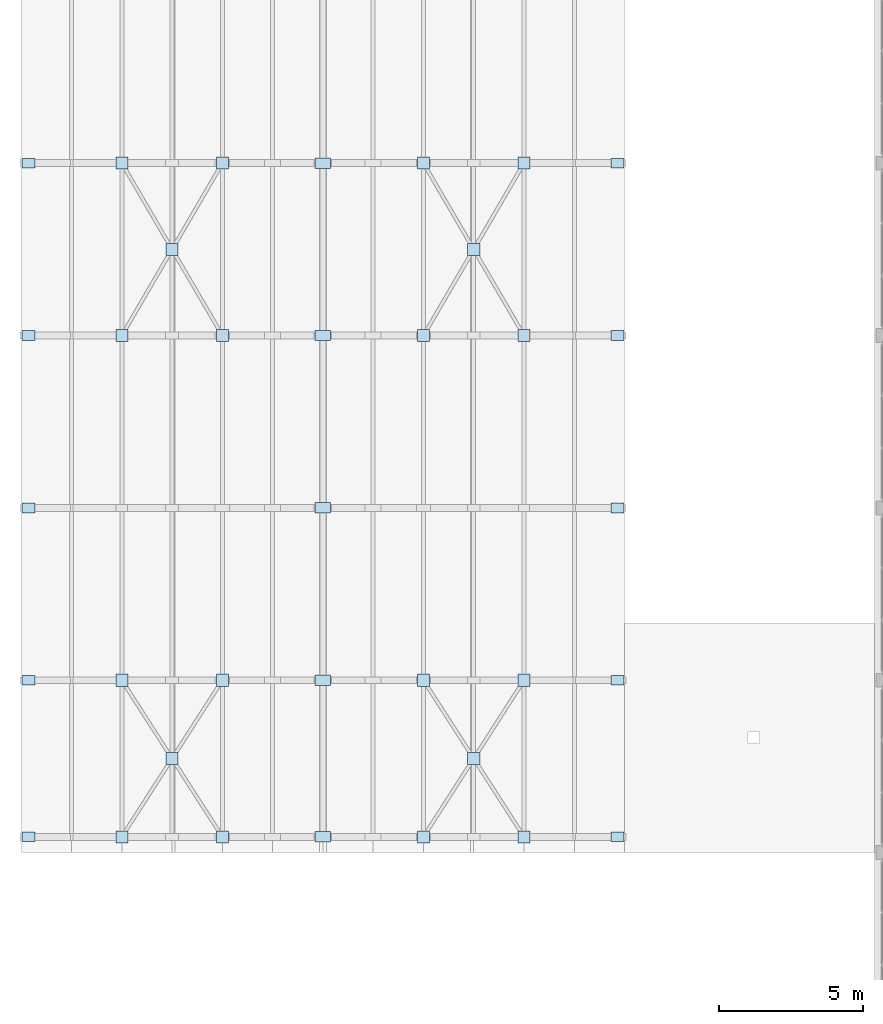
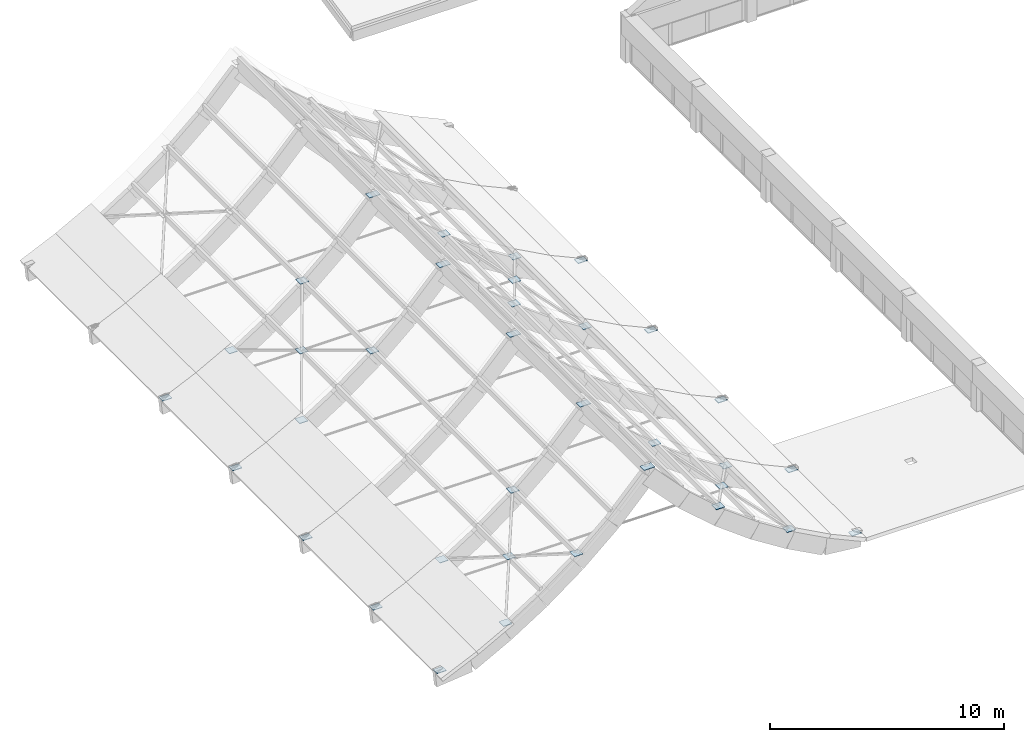
# One storey, part 32 of 45: 35 plates.
"""IFC4 building model written with IfcOpenShell, lengths in metres."""

from ifc_helpers import new_model, si_unit, direction, frame, origin, origin_2d, place, context, subcontext, project, spatial, rectangle, extrude, material, layer, layer_set, type_object, element, save


model = new_model("IFC4")

# Units and contexts
model_context = context("Model", 3, precision=1e-05, world=origin(), true_north=direction((0.0, 1.0)))
body_context = subcontext(model_context, "Body", "Model", "MODEL_VIEW")
ifc_project = project(units=[si_unit("LENGTHUNIT", "METRE"), si_unit("AREAUNIT", "SQUARE_METRE"), si_unit("VOLUMEUNIT", "CUBIC_METRE"), si_unit("PLANEANGLEUNIT", "RADIAN"), si_unit("MASSUNIT", "GRAM", prefix="KILO")], contexts=[model_context])

# Site, building, storey
site_placement = place(None, origin())
site = spatial("IfcSite", under=ifc_project, at=site_placement, CompositionType="ELEMENT")
building_placement = place(site_placement, origin())
building = spatial("IfcBuilding", under=site, at=building_placement, Name="Solvane Community Centre", CompositionType="ELEMENT")
storey_placement = place(building_placement, frame((0.0, 0.0, 13.800048828125)))
storey = spatial("IfcBuildingStorey", under=building, at=storey_placement, Name="L03", CompositionType="ELEMENT", Elevation=13.800048828125)

# Plates
ifc_material = material(Name="Steel ASTM A572 Grade 50", Category="steel")
ifc_layer_1 = layer(ifc_material, 0.02392578125)
ifc_layer_set_1 = layer_set([ifc_layer_1], Name="Steel ASTM A572 Grade 50")
plate_type_1 = type_object("IfcPlateType", Name="Bracing Node Gusset Plate 420x420x24", PredefinedType="USERDEFINED", material=ifc_layer_set_1)
for number, where, z_axis, x_axis, name in (
    (1, (11.25, 45.27490234375, 2.554443359375), (0.0, 0.0, 1.0), (1.0, 0.0, 0.0), "Gusset Plate PLT-L03-0076"),
    (2, (9.5, 42.550048828125, 1.348876953125), (0.0, 0.0, 1.0), (1.0, 0.0, 0.0), "Gusset Plate PLT-L03-0077"),
    (3, (13.0, 48.0, 3.760009765625), (0.0, 0.0, 1.0), (1.0, 0.0, 0.0), "Gusset Plate PLT-L03-0078"),
    (4, (13.0, 42.550048828125, 3.760009765625), (0.0, 0.0, 1.0), (1.0, 0.0, 0.0), "Gusset Plate PLT-L03-0079"),
    (5, (9.5, 48.0, 1.348876953125), (0.0, 0.0, 1.0), (1.0, 0.0, 0.0), "Gusset Plate PLT-L03-0080"),
    (6, (21.75, 45.27490234375, 2.554443359375), (0.0, 0.0, 1.0), (1.0, 0.0, 0.0), "Gusset Plate PLT-L03-0081"),
    (7, (20.0, 42.550048828125, 3.760009765625), (0.0, 0.0, 1.0), (1.0, 0.0, 0.0), "Gusset Plate PLT-L03-0082"),
    (8, (23.5, 48.0, 1.348876953125), (0.0, 0.0, 1.0), (1.0, 0.0, 0.0), "Gusset Plate PLT-L03-0083"),
    (9, (23.5, 42.550048828125, 1.348876953125), (0.0, 0.0, 1.0), (1.0, 0.0, 0.0), "Gusset Plate PLT-L03-0084"),
    (10, (20.0, 48.0, 3.760009765625), (0.0, 0.0, 1.0), (1.0, 0.0, 0.0), "Gusset Plate PLT-L03-0085"),
    (11, (11.25, 63.0, 2.554443359375), (0.0, 0.0, 1.0), (1.0, 0.0, 0.0), "Gusset Plate PLT-L03-0086"),
    (12, (9.5, 60.0, 1.348876953125), (0.0, 0.0, 1.0), (1.0, 0.0, 0.0), "Gusset Plate PLT-L03-0087"),
    (13, (13.0, 66.0, 3.760009765625), (0.0, 0.0, 1.0), (1.0, 0.0, 0.0), "Gusset Plate PLT-L03-0088"),
    (14, (13.0, 60.0, 3.760009765625), (0.0, 0.0, 1.0), (1.0, 0.0, 0.0), "Gusset Plate PLT-L03-0089"),
    (15, (9.5, 66.0, 1.348876953125), (0.0, 0.0, 1.0), (1.0, 0.0, 0.0), "Gusset Plate PLT-L03-0090"),
    (16, (21.75, 63.0, 2.554443359375), (0.0, 0.0, 1.0), (1.0, 0.0, 0.0), "Gusset Plate PLT-L03-0091"),
    (17, (20.0, 60.0, 3.760009765625), (0.0, 0.0, 1.0), (1.0, 0.0, 0.0), "Gusset Plate PLT-L03-0092"),
    (18, (23.5, 66.0, 1.348876953125), (0.0, 0.0, 1.0), (1.0, 0.0, 0.0), "Gusset Plate PLT-L03-0093"),
    (19, (23.5, 60.0, 1.348876953125), (0.0, 0.0, 1.0), (1.0, 0.0, 0.0), "Gusset Plate PLT-L03-0094"),
    (20, (20.0, 66.0, 3.760009765625), (0.0, 0.0, 1.0), (1.0, 0.0, 0.0), "Gusset Plate PLT-L03-0095"),
):
    element("IfcPlate", number, at=place(storey_placement, frame(where, z_axis=z_axis, x_axis=x_axis)), inside=storey, type_object=plate_type_1, Name=name, ObjectType="GUSSET_PLATE", PredefinedType="USERDEFINED", context=body_context, shape_type="SweptSolid", body=[
        extrude(rectangle(XDim=0.419921875, YDim=0.419921875, at=origin_2d()), origin(), (0.0, 0.0, 1.0), 0.02392578125),
    ])
ifc_layer_2 = layer(ifc_material, 0.028076171875)
ifc_layer_set_2 = layer_set([ifc_layer_2], Name="Steel ASTM A572 Grade 50")
plate_type_2 = type_object("IfcPlateType", Name="Sports Vault Apex Gusset 540x360x28", PredefinedType="USERDEFINED", material=ifc_layer_set_2)
for number, where, z_axis, x_axis, name in (
    (21, (16.5, 42.550048828125, 7.0361328125), (0.0, 0.0, 1.0), (1.0, 0.0, 0.0), "Gusset Plate PLT-L03-0057"),
    (22, (16.5, 48.0, 7.0361328125), (0.0, 0.0, 1.0), (1.0, 0.0, 0.0), "Gusset Plate PLT-L03-0060"),
    (23, (16.5, 54.0, 7.0361328125), (0.0, 0.0, 1.0), (1.0, 0.0, 0.0), "Gusset Plate PLT-L03-0063"),
    (24, (16.5, 60.0, 7.0361328125), (0.0, 0.0, 1.0), (1.0, 0.0, 0.0), "Gusset Plate PLT-L03-0066"),
    (25, (16.5, 66.0, 7.0361328125), (0.0, 0.0, 1.0), (1.0, 0.0, 0.0), "Gusset Plate PLT-L03-0069"),
):
    element("IfcPlate", number, at=place(storey_placement, frame(where, z_axis=z_axis, x_axis=x_axis)), inside=storey, type_object=plate_type_2, Name=name, ObjectType="GUSSET_PLATE", PredefinedType="USERDEFINED", context=body_context, shape_type="SweptSolid", body=[
        extrude(rectangle(XDim=0.5400390625, YDim=0.360107421875, at=origin_2d()), origin(), (0.0, 0.0, 1.0), 0.028076171875),
    ])
ifc_layer_3 = layer(ifc_material, 0.031982421875)
ifc_layer_set_3 = layer_set([ifc_layer_3], Name="Steel ASTM A572 Grade 50")
plate_type_3 = type_object("IfcPlateType", Name="Sports Vault Base Shoe Plate 460x340x32", PredefinedType="USERDEFINED", material=ifc_layer_set_3)
for number, where, z_axis, x_axis, name in (
    (26, (6.25, 42.550048828125, 0.00390625), (0.0, 0.0, 1.0), (1.0, 0.0, 0.0), "Gusset Plate PLT-L03-0055"),
    (27, (26.75, 42.550048828125, 0.00390625), (0.0, 0.0, 1.0), (1.0, 0.0, 0.0), "Gusset Plate PLT-L03-0056"),
    (28, (6.25, 48.0, 0.00390625), (0.0, 0.0, 1.0), (1.0, 0.0, 0.0), "Gusset Plate PLT-L03-0058"),
    (29, (26.75, 48.0, 0.00390625), (0.0, 0.0, 1.0), (1.0, 0.0, 0.0), "Gusset Plate PLT-L03-0059"),
    (30, (6.25, 54.0, 0.00390625), (0.0, 0.0, 1.0), (1.0, 0.0, 0.0), "Gusset Plate PLT-L03-0061"),
    (31, (26.75, 54.0, 0.00390625), (0.0, 0.0, 1.0), (1.0, 0.0, 0.0), "Gusset Plate PLT-L03-0062"),
    (32, (6.25, 60.0, 0.00390625), (0.0, 0.0, 1.0), (1.0, 0.0, 0.0), "Gusset Plate PLT-L03-0064"),
    (33, (26.75, 60.0, 0.00390625), (0.0, 0.0, 1.0), (1.0, 0.0, 0.0), "Gusset Plate PLT-L03-0065"),
    (34, (6.25, 66.0, 0.00390625), (0.0, 0.0, 1.0), (1.0, 0.0, 0.0), "Gusset Plate PLT-L03-0067"),
    (35, (26.75, 66.0, 0.00390625), (0.0, 0.0, 1.0), (1.0, 0.0, 0.0), "Gusset Plate PLT-L03-0068"),
):
    element("IfcPlate", number, at=place(storey_placement, frame(where, z_axis=z_axis, x_axis=x_axis)), inside=storey, type_object=plate_type_3, Name=name, ObjectType="GUSSET_PLATE", PredefinedType="USERDEFINED", context=body_context, shape_type="SweptSolid", body=[
        extrude(rectangle(XDim=0.4599609375, YDim=0.340087890625, at=origin_2d()), origin(), (0.0, 0.0, 1.0), 0.031982421875),
    ])

save(model, "model.ifc")
